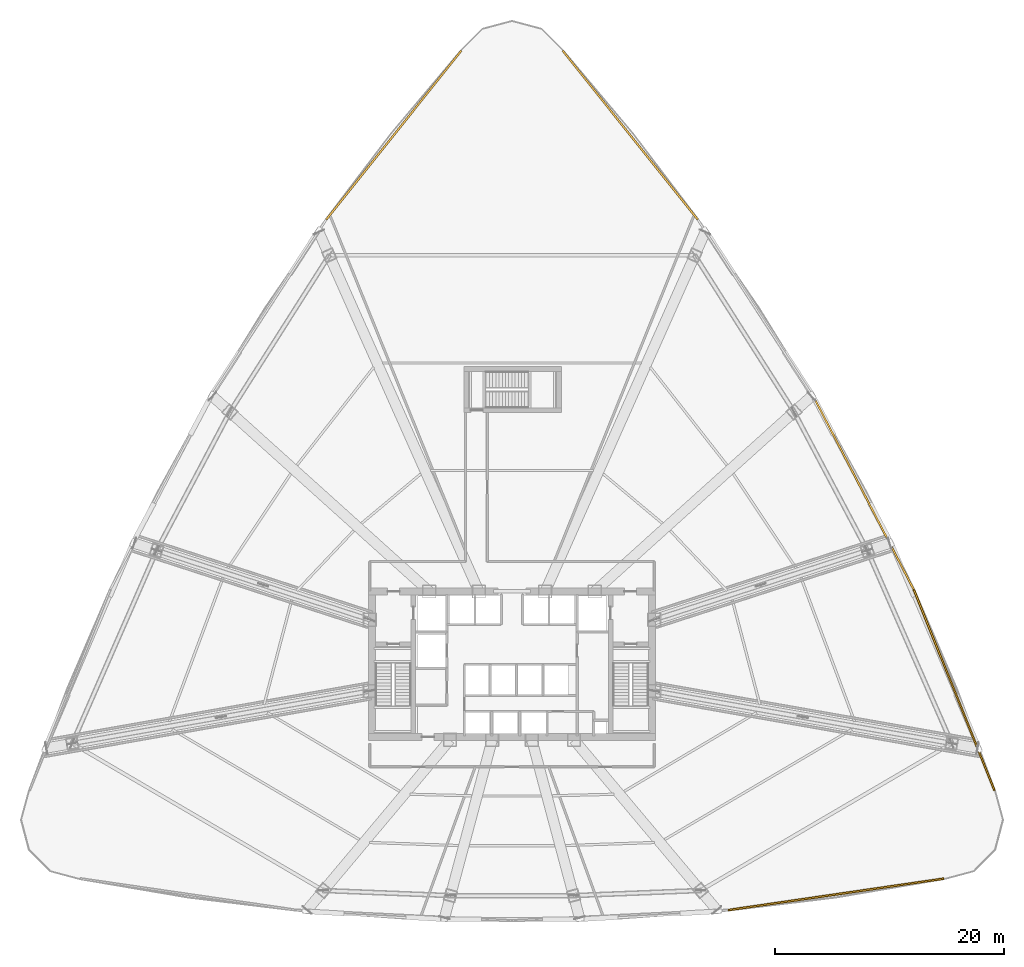
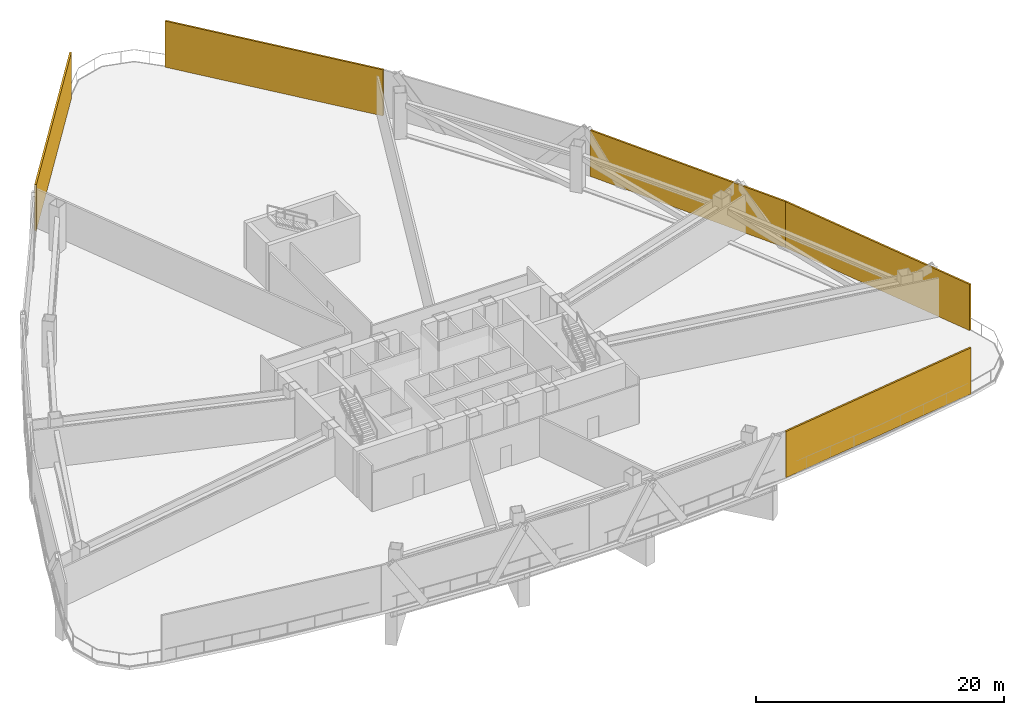
# One storey, part 17 of 17: 5 shading devices.
"""IFC4 building model written with IfcOpenShell, lengths in metres."""

from ifc_helpers import new_model, si_unit, direction, frame, origin, origin_2d, place, context, subcontext, project, spatial, rectangle, extrude, source, transform, mapped, material, layer, layer_set, type_object, element, save


model = new_model("IFC4")

# Units and contexts
model_context = context("Model", 3, precision=1e-05, world=origin(), true_north=direction((0.0, 1.0)))
body_context = subcontext(model_context, "Body", "Model", "MODEL_VIEW")
ifc_project = project(units=[si_unit("LENGTHUNIT", "METRE"), si_unit("AREAUNIT", "SQUARE_METRE"), si_unit("VOLUMEUNIT", "CUBIC_METRE"), si_unit("PLANEANGLEUNIT", "RADIAN"), si_unit("MASSUNIT", "GRAM", prefix="KILO"), si_unit("THERMODYNAMICTEMPERATUREUNIT", "KELVIN"), si_unit("POWERUNIT", "WATT")], contexts=[model_context])

# Site, building, storey
site_placement = place(None, origin())
site = spatial("IfcSite", under=ifc_project, at=site_placement, CompositionType="ELEMENT")
building_placement = place(site_placement, origin())
building = spatial("IfcBuilding", under=site, at=building_placement, Name="Yunzhuo Pagoda Commons", CompositionType="ELEMENT")
storey_placement = place(building_placement, frame((0.0, 0.0, 76.3798828125)))
storey = spatial("IfcBuildingStorey", under=building, at=storey_placement, Name="L19", CompositionType="ELEMENT", Elevation=76.3798828125)

# Shading devices
ifc_material = material(Name="Anodized aluminium 6063-T6", Category="aluminium")
ifc_layer = layer(ifc_material, 0.159912109375)
ifc_layer_set = layer_set([ifc_layer], Name="Anodized aluminium 6063-T6")
shading_device_type = type_object("IfcShadingDeviceType", Name="SH-SCR1 Stormproof Refuge Louvre Screen", PredefinedType="JALOUSIE", material=ifc_layer_set)
shared_shape_1 = source(origin(), body_context, "Body", "SweptSolid", [
    extrude(rectangle(XDim=19.008544921875, YDim=0.159912109375, at=origin_2d()), origin(), (0.0, 0.0, 1.0), 4.5400390625),
])
shading_device_1_placement = place(storey_placement, frame((76.255615234375, 13.771484375, 0.0), z_axis=(0.0, 0.0, 1.0), x_axis=(0.989510666697, 0.144459823108, 0.0)))
element("IfcShadingDevice", 1, at=shading_device_1_placement, inside=storey, type_object=shading_device_type, Name="L19 stormproof refuge louvre screen F1.4", PredefinedType="JALOUSIE", context=body_context, shape_type="MappedRepresentation", body=[
    mapped(shared_shape_1, transform((0.0, 0.0, 0.0), scale=1.0)),
])
shared_shape_2 = source(origin(), body_context, "Body", "SweptSolid", [
    extrude(rectangle(XDim=18.855712890625, YDim=0.159912109375, at=origin_2d()), origin(), (0.0, 0.0, 1.0), 4.5400390625),
])
for number, where, z_axis, x_axis, name in (
    (2, (86.564697265625, 31.591796875, 0.0), (0.0, 0.0, 1.0), (-0.373003976317, 0.927829743893, 0.0), "L19 stormproof refuge louvre screen F2.1"),
    (3, (58.30908203125, 79.99609375, 0.0), (0.0, 0.0, 1.0), (-0.624520471688, 0.781008438138, 0.0), "L19 stormproof refuge louvre screen F2.4"),
    (4, (37.69091796875, 79.99609375, 0.0), (0.0, 0.0, 1.0), (-0.624520471688, -0.781008438138, 0.0), "L19 stormproof refuge louvre screen F3.1"),
):
    element("IfcShadingDevice", number, at=place(storey_placement, frame(where, z_axis=z_axis, x_axis=x_axis)), inside=storey, type_object=shading_device_type, Name=name, PredefinedType="JALOUSIE", context=body_context, shape_type="MappedRepresentation", body=[
        mapped(shared_shape_2, transform((0.0, 0.0, 0.0), scale=1.0)),
    ])
shared_shape_3 = source(origin(), body_context, "Body", "SweptSolid", [
    extrude(rectangle(XDim=18.6767578125, YDim=0.159912109375, at=origin_2d()), origin(), (0.0, 0.0, 1.0), 4.5400390625),
])
shading_device_2_placement = place(storey_placement, frame((78.729248046875, 48.65087890625, 0.0), z_axis=(0.0, 0.0, 1.0), x_axis=(-0.461206683033, 0.88729273384, 0.0)))
element("IfcShadingDevice", 5, at=shading_device_2_placement, inside=storey, type_object=shading_device_type, Name="L19 stormproof refuge louvre screen F2.2", PredefinedType="JALOUSIE", context=body_context, shape_type="MappedRepresentation", body=[
    mapped(shared_shape_3, transform((0.0, 0.0, 0.0), scale=1.0)),
])

save(model, "model.ifc")
